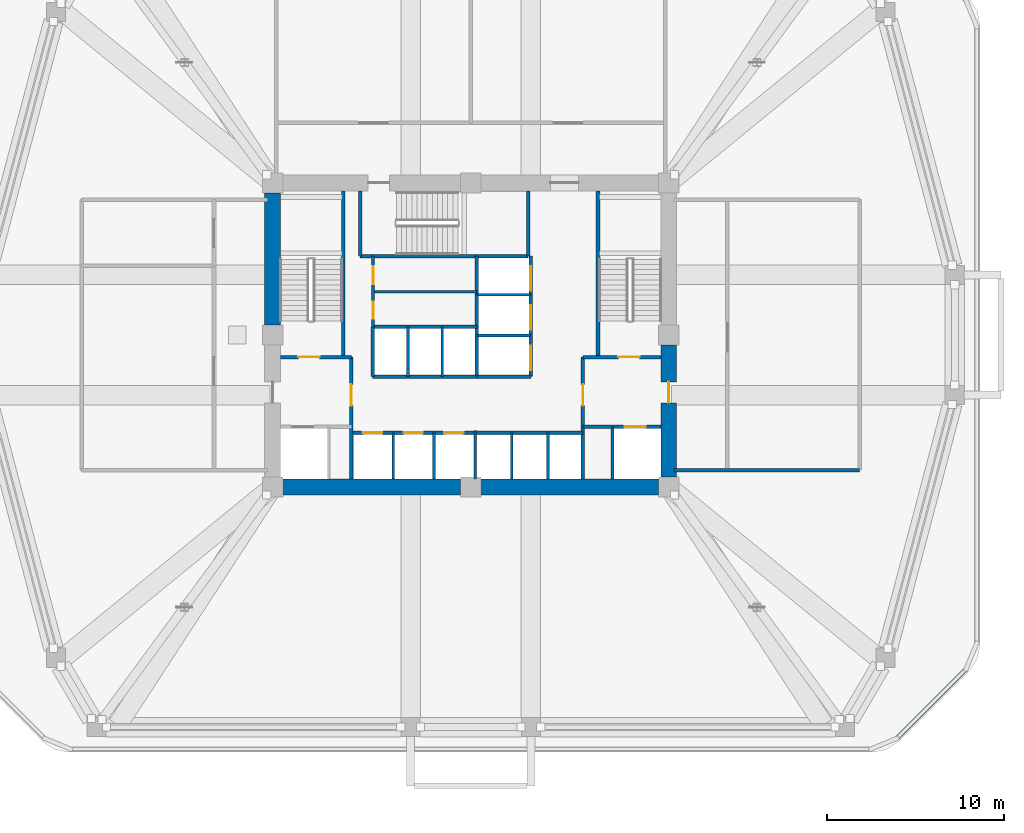
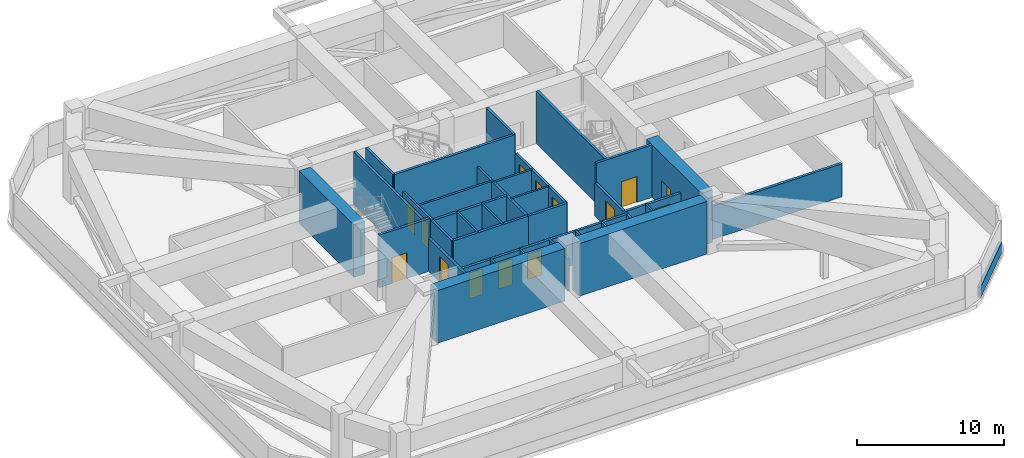
# One storey, part 5 of 10: 36 walls, 14 doors, 14 openings.
"""IFC4 building model written with IfcOpenShell, lengths in metres."""

from ifc_helpers import new_model, si_unit, derived_unit, direction, frame, frame_2d, origin, place, context, subcontext, project, spatial, rectangle, extrude, material, layer, layer_set, type_object, element, fill, save


model = new_model("IFC4")

# Units and contexts
model_context = context("Model", 3, precision=1e-05, world=origin(), true_north=direction((0.0, 1.0)))
body_context = subcontext(model_context, "Body", "Model", "MODEL_VIEW")
ifc_project = project(units=[si_unit("LENGTHUNIT", "METRE"), si_unit("AREAUNIT", "SQUARE_METRE"), si_unit("VOLUMEUNIT", "CUBIC_METRE"), si_unit("PLANEANGLEUNIT", "RADIAN"), si_unit("MASSUNIT", "GRAM", prefix="KILO"), derived_unit("THERMALTRANSMITTANCEUNIT", [(si_unit("POWERUNIT", "WATT"), 1), (si_unit("LENGTHUNIT", "METRE"), -2), (si_unit("THERMODYNAMICTEMPERATUREUNIT", "KELVIN"), -1)])], contexts=[model_context])

# Site, building, storey
site_placement = place(None, origin())
site = spatial("IfcSite", under=ifc_project, at=site_placement, CompositionType="ELEMENT")
building_placement = place(site_placement, origin())
building = spatial("IfcBuilding", under=site, at=building_placement, Name="Koralith Skygarden Medical Center", CompositionType="ELEMENT")
storey_placement = place(building_placement, frame((0.0, 0.0, 70.739990234375)))
storey = spatial("IfcBuildingStorey", under=building, at=storey_placement, Name="L18", CompositionType="ELEMENT", Elevation=70.739990234375)

# Wall, opening, door
ifc_material_1 = material(Name="Gypsum Board Partition")
ifc_layer_1 = layer(ifc_material_1, 0.199951171875)
ifc_layer_set_1 = layer_set([ifc_layer_1], Name="Gypsum Board Partition")
wall_type_1 = type_object("IfcWallType", Name="Fire Shaft Wall 200", PredefinedType="SOLIDWALL", material=ifc_layer_set_1)
wall_1_placement = place(storey_placement, frame((30.25, 17.75, 0.0), z_axis=(0.0, 0.0, 1.0), x_axis=(0.0, 1.0, 0.0)))
wall_1 = element("IfcWall", 1, at=wall_1_placement, inside=storey, type_object=wall_type_1, Name="L18 Fire Shaft Wall 200 W-CORE-L18-FSAEW-E", PredefinedType="SOLIDWALL", context=body_context, shape_type="SweptSolid", body=[
    extrude(rectangle(XDim=6.89990234375, YDim=0.199951171875, at=frame_2d((3.449951171875, 0.0))), origin(), (0.0, 0.0, 1.0), 2.75),
])
opening_1_placement = place(wall_1_placement, frame((4.14990234375, 0.0, 0.0)))
opening_1 = element("IfcOpeningElement", 2, at=opening_1_placement, cuts=wall_1, Name="Opening D-ST60", PredefinedType="OPENING", context=body_context, shape_type="SweptSolid", body=[
    extrude(rectangle(XDim=1.199951171875, YDim=2.14990234375, at=frame_2d((0.60009765625, 1.074951171875))), frame((0.0, 0.10986328125, 0.0), z_axis=(0.0, -1.0, 0.0), x_axis=(1.0, 0.0, 0.0)), (0.0, 0.0, 1.0), 0.219970703125),
])
ifc_material_2 = material(Name="Steel ASTM A500 Grade C", Category="steel")
door_type_1 = type_object("IfcDoorType", Name="Smokeproof Stair Fire Door FD60S 1200", OperationType="NOTDEFINED", PredefinedType="DOOR", material=ifc_material_2)
door_1_placement = place(opening_1_placement, origin())
door_1 = element("IfcDoor", 3, at=door_1_placement, inside=storey, type_object=door_type_1, Name="L18 West Firefighting Lobby Inner Fire Door", OperationType="SINGLE_SWING_LEFT", OverallHeight=2.14990234375, OverallWidth=1.199951171875, PredefinedType="DOOR", context=body_context, shape_type="SweptSolid", body=[
    extrude(rectangle(XDim=1.199951171875, YDim=2.14990234375, at=frame_2d((0.60009765625, 1.074951171875))), frame((0.0, 0.02490234375, 0.0), z_axis=(0.0, -1.0, 0.0), x_axis=(1.0, 0.0, 0.0)), (0.0, 0.0, 1.0), 0.050048828125),
])
fill(opening_1, door_1)

wall_2_placement = place(storey_placement, frame((43.35009765625, 20.699951171875, 0.0), z_axis=(0.0, 0.0, 1.0), x_axis=(1.0, 0.0, 0.0)))
wall_2 = element("IfcWall", 4, at=wall_2_placement, inside=storey, type_object=wall_type_1, Name="L18 Fire Shaft Wall 200 W-CORE-L18-FF2-N", PredefinedType="SOLIDWALL", context=body_context, shape_type="SweptSolid", body=[
    extrude(rectangle(XDim=4.39990234375, YDim=0.199951171875, at=frame_2d((2.199951171875, 0.0))), origin(), (0.0, 0.0, 1.0), 2.75),
])
opening_2_placement = place(wall_2_placement, frame((2.35009765625, 0.0, 0.0)))
opening_2 = element("IfcOpeningElement", 5, at=opening_2_placement, cuts=wall_2, Name="Opening LD-FF", PredefinedType="OPENING", context=body_context, shape_type="SweptSolid", body=[
    extrude(rectangle(XDim=1.199951171875, YDim=2.14990234375, at=frame_2d((0.60009765625, 1.074951171875))), frame((0.0, 0.10986328125, 0.0), z_axis=(0.0, -1.0, 0.0), x_axis=(1.0, 0.0, 0.0)), (0.0, 0.0, 1.0), 0.219970703125),
])
door_type_2 = type_object("IfcDoorType", Name="Fire Lift Sliding Landing Door LD-FF 1200", OperationType="NOTDEFINED", PredefinedType="DOOR", material=ifc_material_2)
door_2_placement = place(opening_2_placement, origin())
door_2 = element("IfcDoor", 6, at=door_2_placement, inside=storey, type_object=door_type_2, Name="L18 Fire Service Elevator FF2 Landing Door", OperationType="SLIDING_TO_RIGHT", OverallHeight=2.14990234375, OverallWidth=1.199951171875, PredefinedType="DOOR", context=body_context, shape_type="SweptSolid", body=[
    extrude(rectangle(XDim=1.199951171875, YDim=2.14990234375, at=frame_2d((0.60009765625, 1.074951171875))), frame((0.0, 0.02490234375, 0.0), z_axis=(0.0, -1.0, 0.0), x_axis=(1.0, 0.0, 0.0)), (0.0, 0.0, 1.0), 0.050048828125),
])
fill(opening_2, door_2)

wall_3_placement = place(storey_placement, frame((43.35009765625, 17.75, 0.0), z_axis=(0.0, 0.0, 1.0), x_axis=(0.0, 1.0, 0.0)))
wall_3 = element("IfcWall", 7, at=wall_3_placement, inside=storey, type_object=wall_type_1, Name="L18 Fire Shaft Wall 200 W-CORE-L18-FSAEE-W", PredefinedType="SOLIDWALL", context=body_context, shape_type="SweptSolid", body=[
    extrude(rectangle(XDim=6.89990234375, YDim=0.199951171875, at=frame_2d((3.449951171875, 0.0))), origin(), (0.0, 0.0, 1.0), 2.75),
])
opening_3_placement = place(wall_3_placement, frame((4.14990234375, 0.0, 0.0)))
opening_3 = element("IfcOpeningElement", 8, at=opening_3_placement, cuts=wall_3, Name="Opening D-ST60", PredefinedType="OPENING", context=body_context, shape_type="SweptSolid", body=[
    extrude(rectangle(XDim=1.199951171875, YDim=2.14990234375, at=frame_2d((0.60009765625, 1.074951171875))), frame((0.0, 0.10986328125, 0.0), z_axis=(0.0, -1.0, 0.0), x_axis=(1.0, 0.0, 0.0)), (0.0, 0.0, 1.0), 0.219970703125),
])
door_3_placement = place(opening_3_placement, frame((1.199951171875, 0.0, 0.0), z_axis=(0.0, 0.0, 1.0), x_axis=(-1.0, 0.0, 0.0)))
door_3 = element("IfcDoor", 9, at=door_3_placement, inside=storey, type_object=door_type_1, Name="L18 East Firefighting Lobby Inner Fire Door", OperationType="SINGLE_SWING_RIGHT", OverallHeight=2.14990234375, OverallWidth=1.199951171875, PredefinedType="DOOR", context=body_context, shape_type="SweptSolid", body=[
    extrude(rectangle(XDim=1.199951171875, YDim=2.14990234375, at=frame_2d((0.60009765625, 1.074951171875))), frame((0.0, 0.02490234375, 0.0), z_axis=(0.0, -1.0, 0.0), x_axis=(1.0, 0.0, 0.0)), (0.0, 0.0, 1.0), 0.050048828125),
])
fill(opening_3, door_3)

# Wall, openings, doors
wall_4_placement = place(storey_placement, frame((30.25, 20.360107421875, 0.0), z_axis=(0.0, 0.0, 1.0), x_axis=(1.0, 0.0, 0.0)))
wall_4 = element("IfcWall", 10, at=wall_4_placement, inside=storey, type_object=wall_type_1, Name="L18 Fire Shaft Wall 200 W-CORE-L18-PL-N", PredefinedType="SOLIDWALL", context=body_context, shape_type="SweptSolid", body=[
    extrude(rectangle(XDim=7.0, YDim=0.199951171875, at=frame_2d((3.5, 0.0))), origin(), (0.0, 0.0, 1.0), 2.75),
])
opening_4_placement = place(wall_4_placement, frame((0.64990234375, 0.0, 0.0)))
opening_4 = element("IfcOpeningElement", 11, at=opening_4_placement, cuts=wall_4, Name="Opening LD-P", PredefinedType="OPENING", context=body_context, shape_type="SweptSolid", body=[
    extrude(rectangle(XDim=1.10009765625, YDim=2.14990234375, at=frame_2d((0.550048828125, 1.074951171875))), frame((0.0, 0.10986328125, 0.0), z_axis=(0.0, -1.0, 0.0), x_axis=(1.0, 0.0, 0.0)), (0.0, 0.0, 1.0), 0.219970703125),
])
opening_5_placement = place(wall_4_placement, frame((2.949951171875, 0.0, 0.0)))
opening_5 = element("IfcOpeningElement", 12, at=opening_5_placement, cuts=wall_4, Name="Opening LD-P", PredefinedType="OPENING", context=body_context, shape_type="SweptSolid", body=[
    extrude(rectangle(XDim=1.10009765625, YDim=2.14990234375, at=frame_2d((0.550048828125, 1.074951171875))), frame((0.0, 0.10986328125, 0.0), z_axis=(0.0, -1.0, 0.0), x_axis=(1.0, 0.0, 0.0)), (0.0, 0.0, 1.0), 0.219970703125),
])
opening_6_placement = place(wall_4_placement, frame((5.25, 0.0, 0.0)))
opening_6 = element("IfcOpeningElement", 13, at=opening_6_placement, cuts=wall_4, Name="Opening LD-P", PredefinedType="OPENING", context=body_context, shape_type="SweptSolid", body=[
    extrude(rectangle(XDim=1.10009765625, YDim=2.14990234375, at=frame_2d((0.550048828125, 1.074951171875))), frame((0.0, 0.10986328125, 0.0), z_axis=(0.0, -1.0, 0.0), x_axis=(1.0, 0.0, 0.0)), (0.0, 0.0, 1.0), 0.219970703125),
])
door_type_3 = type_object("IfcDoorType", Name="Passenger Lift Sliding Landing Door LD-P 1100", OperationType="NOTDEFINED", PredefinedType="DOOR", material=ifc_material_2)
door_4_placement = place(opening_4_placement, origin())
door_4 = element("IfcDoor", 14, at=door_4_placement, inside=storey, type_object=door_type_3, Name="L18 Passenger Elevator PL1 Landing Door", OperationType="SLIDING_TO_LEFT", OverallHeight=2.14990234375, OverallWidth=1.10009765625, PredefinedType="DOOR", context=body_context, shape_type="SweptSolid", body=[
    extrude(rectangle(XDim=1.10009765625, YDim=2.14990234375, at=frame_2d((0.550048828125, 1.074951171875))), frame((0.0, 0.02490234375, 0.0), z_axis=(0.0, -1.0, 0.0), x_axis=(1.0, 0.0, 0.0)), (0.0, 0.0, 1.0), 0.050048828125),
])
fill(opening_4, door_4)
door_5_placement = place(opening_5_placement, origin())
door_5 = element("IfcDoor", 15, at=door_5_placement, inside=storey, type_object=door_type_3, Name="L18 Passenger Elevator PL2 Landing Door", OperationType="SLIDING_TO_LEFT", OverallHeight=2.14990234375, OverallWidth=1.10009765625, PredefinedType="DOOR", context=body_context, shape_type="SweptSolid", body=[
    extrude(rectangle(XDim=1.10009765625, YDim=2.14990234375, at=frame_2d((0.550048828125, 1.074951171875))), frame((0.0, 0.02490234375, 0.0), z_axis=(0.0, -1.0, 0.0), x_axis=(1.0, 0.0, 0.0)), (0.0, 0.0, 1.0), 0.050048828125),
])
fill(opening_5, door_5)
door_6_placement = place(opening_6_placement, origin())
door_6 = element("IfcDoor", 16, at=door_6_placement, inside=storey, type_object=door_type_3, Name="L18 Passenger Elevator PL3 Landing Door", OperationType="SLIDING_TO_LEFT", OverallHeight=2.14990234375, OverallWidth=1.10009765625, PredefinedType="DOOR", context=body_context, shape_type="SweptSolid", body=[
    extrude(rectangle(XDim=1.10009765625, YDim=2.14990234375, at=frame_2d((0.550048828125, 1.074951171875))), frame((0.0, 0.02490234375, 0.0), z_axis=(0.0, -1.0, 0.0), x_axis=(1.0, 0.0, 0.0)), (0.0, 0.0, 1.0), 0.050048828125),
])
fill(opening_6, door_6)

# Walls
wall_5_placement = place(storey_placement, frame((37.25, 20.360107421875, 0.0), z_axis=(0.0, 0.0, 1.0), x_axis=(1.0, 0.0, 0.0)))
element("IfcWall", 17, at=wall_5_placement, inside=storey, type_object=wall_type_1, Name="L18 Fire Shaft Wall 200 W-CORE-L18-PM-N", PredefinedType="SOLIDWALL", context=body_context, shape_type="SweptSolid", body=[
    extrude(rectangle(XDim=6.10009765625, YDim=0.199951171875, at=frame_2d((3.050048828125, 0.0))), origin(), (0.0, 0.0, 1.0), 2.75),
])
for number, where, z_axis, x_axis, name in (
    (18, (31.449951171875, 23.5400390625, 0.0), (0.0, 0.0, 1.0), (1.0, 0.0, 0.0), "L18 Fire Shaft Wall 200 W-CORE-L18-PH-S"),
    (19, (31.449951171875, 26.35009765625, 0.0), (0.0, 0.0, 1.0), (1.0, 0.0, 0.0), "L18 Fire Shaft Wall 200 W-CORE-L18-PH-N"),
):
    element("IfcWall", number, at=place(storey_placement, frame(where, z_axis=z_axis, x_axis=x_axis)), inside=storey, type_object=wall_type_1, Name=name, PredefinedType="SOLIDWALL", context=body_context, shape_type="SweptSolid", body=[
        extrude(rectangle(XDim=5.900146484375, YDim=0.199951171875, at=frame_2d((2.9501953125, 0.0))), origin(), (0.0, 0.0, 1.0), 2.75),
    ])
wall_6_placement = place(storey_placement, frame((31.449951171875, 23.5400390625, 0.0), z_axis=(0.0, 0.0, 1.0), x_axis=(0.0, 1.0, 0.0)))
element("IfcWall", 20, at=wall_6_placement, inside=storey, type_object=wall_type_1, Name="L18 Fire Shaft Wall 200 W-CORE-L18-PH-W", PredefinedType="SOLIDWALL", context=body_context, shape_type="SweptSolid", body=[
    extrude(rectangle(XDim=2.81005859375, YDim=0.199951171875, at=frame_2d((1.405029296875, 0.0))), origin(), (0.0, 0.0, 1.0), 2.75),
])
wall_7_placement = place(storey_placement, frame((37.35009765625, 23.5400390625, 0.0), z_axis=(0.0, 0.0, 1.0), x_axis=(0.0, 1.0, 0.0)))
element("IfcWall", 21, at=wall_7_placement, inside=storey, type_object=wall_type_1, Name="L18 Fire Shaft Wall 200 W-CORE-L18-SV-W", PredefinedType="SOLIDWALL", context=body_context, shape_type="SweptSolid", body=[
    extrude(rectangle(XDim=6.820068359375, YDim=0.199951171875, at=frame_2d((3.41015625, 0.0))), origin(), (0.0, 0.0, 1.0), 2.75),
])
wall_8_placement = place(storey_placement, frame((37.35009765625, 23.5400390625, 0.0), z_axis=(0.0, 0.0, 1.0), x_axis=(1.0, 0.0, 0.0)))
element("IfcWall", 22, at=wall_8_placement, inside=storey, type_object=wall_type_1, Name="L18 Fire Shaft Wall 200 W-CORE-L18-SV-S", PredefinedType="SOLIDWALL", context=body_context, shape_type="SweptSolid", body=[
    extrude(rectangle(XDim=3.0498046875, YDim=0.199951171875, at=frame_2d((1.52490234375, 0.0))), origin(), (0.0, 0.0, 1.0), 2.75),
])

# Wall, openings, doors
wall_9_placement = place(storey_placement, frame((40.39990234375, 23.5400390625, 0.0), z_axis=(0.0, 0.0, 1.0), x_axis=(0.0, 1.0, 0.0)))
wall_9 = element("IfcWall", 23, at=wall_9_placement, inside=storey, type_object=wall_type_1, Name="L18 Fire Shaft Wall 200 W-CORE-L18-SV-E", PredefinedType="SOLIDWALL", context=body_context, shape_type="SweptSolid", body=[
    extrude(rectangle(XDim=6.820068359375, YDim=0.199951171875, at=frame_2d((3.41015625, 0.0))), origin(), (0.0, 0.0, 1.0), 2.75),
])
opening_7_placement = place(wall_9_placement, frame((0.35009765625, 0.0, 0.0)))
opening_7 = element("IfcOpeningElement", 24, at=opening_7_placement, cuts=wall_9, Name="Opening LD-SV", PredefinedType="OPENING", context=body_context, shape_type="SweptSolid", body=[
    extrude(rectangle(XDim=1.39990234375, YDim=2.199951171875, at=frame_2d((0.699951171875, 1.10009765625))), frame((0.0, 0.10986328125, 0.0), z_axis=(0.0, -1.0, 0.0), x_axis=(1.0, 0.0, 0.0)), (0.0, 0.0, 1.0), 0.219970703125),
])
opening_8_placement = place(wall_9_placement, frame((2.64990234375, 0.0, 0.0)))
opening_8 = element("IfcOpeningElement", 25, at=opening_8_placement, cuts=wall_9, Name="Opening LD-SV", PredefinedType="OPENING", context=body_context, shape_type="SweptSolid", body=[
    extrude(rectangle(XDim=1.39990234375, YDim=2.199951171875, at=frame_2d((0.699951171875, 1.10009765625))), frame((0.0, 0.10986328125, 0.0), z_axis=(0.0, -1.0, 0.0), x_axis=(1.0, 0.0, 0.0)), (0.0, 0.0, 1.0), 0.219970703125),
])
opening_9_placement = place(wall_9_placement, frame((4.85009765625, 0.0, 0.0)))
opening_9 = element("IfcOpeningElement", 26, at=opening_9_placement, cuts=wall_9, Name="Opening LD-SV", PredefinedType="OPENING", context=body_context, shape_type="SweptSolid", body=[
    extrude(rectangle(XDim=1.39990234375, YDim=2.199951171875, at=frame_2d((0.699951171875, 1.10009765625))), frame((0.0, 0.10986328125, 0.0), z_axis=(0.0, -1.0, 0.0), x_axis=(1.0, 0.0, 0.0)), (0.0, 0.0, 1.0), 0.219970703125),
])
door_type_4 = type_object("IfcDoorType", Name="Bed Lift Sliding Landing Door LD-SV 1400", OperationType="NOTDEFINED", PredefinedType="DOOR", material=ifc_material_2)
door_7_placement = place(opening_7_placement, origin())
door_7 = element("IfcDoor", 27, at=door_7_placement, inside=storey, type_object=door_type_4, Name="L18 Bed Elevator BD1 Landing Door", OperationType="SLIDING_TO_LEFT", OverallHeight=2.199951171875, OverallWidth=1.39990234375, PredefinedType="DOOR", context=body_context, shape_type="SweptSolid", body=[
    extrude(rectangle(XDim=1.39990234375, YDim=2.199951171875, at=frame_2d((0.699951171875, 1.10009765625))), frame((0.0, 0.02490234375, 0.0), z_axis=(0.0, -1.0, 0.0), x_axis=(1.0, 0.0, 0.0)), (0.0, 0.0, 1.0), 0.050048828125),
])
fill(opening_7, door_7)
door_8_placement = place(opening_8_placement, origin())
door_8 = element("IfcDoor", 28, at=door_8_placement, inside=storey, type_object=door_type_4, Name="L18 Service Elevator BD2 Landing Door", OperationType="SLIDING_TO_LEFT", OverallHeight=2.199951171875, OverallWidth=1.39990234375, PredefinedType="DOOR", context=body_context, shape_type="SweptSolid", body=[
    extrude(rectangle(XDim=1.39990234375, YDim=2.199951171875, at=frame_2d((0.699951171875, 1.10009765625))), frame((0.0, 0.02490234375, 0.0), z_axis=(0.0, -1.0, 0.0), x_axis=(1.0, 0.0, 0.0)), (0.0, 0.0, 1.0), 0.050048828125),
])
fill(opening_8, door_8)
door_9_placement = place(opening_9_placement, origin())
door_9 = element("IfcDoor", 29, at=door_9_placement, inside=storey, type_object=door_type_4, Name="L18 Trauma Elevator TR1 Landing Door", OperationType="SLIDING_TO_RIGHT", OverallHeight=2.199951171875, OverallWidth=1.39990234375, PredefinedType="DOOR", context=body_context, shape_type="SweptSolid", body=[
    extrude(rectangle(XDim=1.39990234375, YDim=2.199951171875, at=frame_2d((0.699951171875, 1.10009765625))), frame((0.0, 0.02490234375, 0.0), z_axis=(0.0, -1.0, 0.0), x_axis=(1.0, 0.0, 0.0)), (0.0, 0.0, 1.0), 0.050048828125),
])
fill(opening_9, door_9)

# Walls
wall_10_placement = place(storey_placement, frame((48.5, 18.25, 0.0), z_axis=(0.0, 0.0, 1.0), x_axis=(1.0, 0.0, 0.0)))
element("IfcWall", 30, at=wall_10_placement, inside=storey, type_object=wall_type_1, Name="L18 Fire Shaft Wall 200 W-PL-L18-EC-S", PredefinedType="SOLIDWALL", context=body_context, shape_type="SweptSolid", body=[
    extrude(rectangle(XDim=10.5, YDim=0.199951171875, at=frame_2d((5.25, 0.0))), origin(), (0.0, 0.0, 1.0), 2.75),
])
ifc_material_3 = material(Name="Warm Oolitic Limestone Cladding", Category="masonry")
ifc_layer_2 = layer(ifc_material_3, 0.239990234375)
ifc_layer_set_2 = layer_set([ifc_layer_2], Name="Warm Oolitic Limestone Cladding")
wall_type_2 = type_object("IfcWallType", Name="Limestone Spandrel Sill Backup Wall 240", PredefinedType="SOLIDWALL", material=ifc_layer_set_2)
wall_11_placement = place(storey_placement, frame((61.095947265625, 3.0810546875, 0.0), z_axis=(0.0, 0.0, 1.0), x_axis=(0.707128783731, 0.707084777957, 0.0)))
element("IfcWall", 31, at=wall_11_placement, inside=storey, type_object=wall_type_2, Name="L18 Plant Sill Backup Wall SE", PredefinedType="SOLIDWALL", context=body_context, shape_type="SweptSolid", body=[
    extrude(rectangle(XDim=5.5478515625, YDim=0.239990234375, at=frame_2d((2.77392578125, 0.0))), origin(), (0.0, 0.0, 1.0), 0.89990234375),
])
ifc_material_4 = material(Name="Concrete C70/85", Category="concrete")
ifc_layer_3 = layer(ifc_material_4, 0.89990234375)
ifc_layer_set_3 = layer_set([ifc_layer_3], Name="Concrete C70/85")
wall_type_3 = type_object("IfcWallType", Name="Lower Core Shear Wall 900", PredefinedType="SHEAR", material=ifc_layer_set_3)
for number, where, z_axis, x_axis, name in (
    (32, (26.364990234375, 17.300048828125, 0.0), (0.0, 0.0, 1.0), (1.0, 0.0, 0.0), "L18 Core Shear Wall Segment 1"),
    (33, (37.56494140625, 17.300048828125, 0.0), (0.0, 0.0, 1.0), (1.0, 0.0, 0.0), "L18 Core Shear Wall Segment 2"),
):
    element("IfcWall", number, at=place(storey_placement, frame(where, z_axis=z_axis, x_axis=x_axis)), inside=storey, type_object=wall_type_3, Name=name, PredefinedType="SHEAR", context=body_context, shape_type="SweptSolid", body=[
        extrude(rectangle(XDim=10.070068359375, YDim=0.89990234375, at=frame_2d((5.03515625, 0.0))), origin(), (0.0, 0.0, 1.0), 4.380126953125),
    ])

# Wall, opening, door
wall_12_placement = place(storey_placement, frame((48.199951171875, 17.864990234375, 0.0), z_axis=(0.0, 0.0, 1.0), x_axis=(0.0, 1.0, 0.0)))
wall_12 = element("IfcWall", 34, at=wall_12_placement, inside=storey, type_object=wall_type_3, Name="L18 Core Shear Wall Segment 3", PredefinedType="SHEAR", context=body_context, shape_type="SweptSolid", body=[
    extrude(rectangle(XDim=7.469970703125, YDim=0.89990234375, at=frame_2d((3.73486328125, 0.0))), origin(), (0.0, 0.0, 1.0), 4.380126953125),
])
opening_10_placement = place(wall_12_placement, frame((4.18505859375, 0.0, 0.0)))
opening_10 = element("IfcOpeningElement", 35, at=opening_10_placement, cuts=wall_12, Name="Opening D-ST60", PredefinedType="OPENING", context=body_context, shape_type="SweptSolid", body=[
    extrude(rectangle(XDim=1.199951171875, YDim=2.14990234375, at=frame_2d((0.60009765625, 1.074951171875))), frame((0.0, 0.4599609375, 0.0), z_axis=(0.0, -1.0, 0.0), x_axis=(1.0, 0.0, 0.0)), (0.0, 0.0, 1.0), 0.919921875),
])
door_10_placement = place(opening_10_placement, frame((1.199951171875, 0.0, 0.0), z_axis=(0.0, 0.0, 1.0), x_axis=(-1.0, 0.0, 0.0)))
door_10 = element("IfcDoor", 36, at=door_10_placement, inside=storey, type_object=door_type_1, Name="L18 East Corridor to Firefighting Lobby Door", OperationType="SINGLE_SWING_RIGHT", OverallHeight=2.14990234375, OverallWidth=1.199951171875, PredefinedType="DOOR", context=body_context, shape_type="SweptSolid", body=[
    extrude(rectangle(XDim=1.199951171875, YDim=2.14990234375, at=frame_2d((0.60009765625, 1.074951171875))), frame((0.0, 0.02490234375, 0.0), z_axis=(0.0, -1.0, 0.0), x_axis=(1.0, 0.0, 0.0)), (0.0, 0.0, 1.0), 0.050048828125),
])
fill(opening_10, door_10)

# Wall
wall_13_placement = place(storey_placement, frame((25.800048828125, 33.93505859375, 0.0), z_axis=(0.0, 0.0, 1.0), x_axis=(0.0, -1.0, 0.0)))
element("IfcWall", 37, at=wall_13_placement, inside=storey, type_object=wall_type_3, Name="L18 Core Shear Wall Segment 7", PredefinedType="SHEAR", context=body_context, shape_type="SweptSolid", body=[
    extrude(rectangle(XDim=7.469970703125, YDim=0.89990234375, at=frame_2d((3.73486328125, 0.0))), origin(), (0.0, 0.0, 1.0), 4.380126953125),
])

# Wall, openings, doors
ifc_layer_4 = layer(ifc_material_1, 0.1650390625)
ifc_layer_set_4 = layer_set([ifc_layer_4], Name="Gypsum Board Partition")
wall_type_4 = type_object("IfcWallType", Name="Plumbing Wet Wall 165", PredefinedType="PLUMBINGWALL", material=ifc_layer_set_4)
wall_14_placement = place(storey_placement, frame((31.47998046875, 26.320068359375, 0.0), z_axis=(0.0, 0.0, 1.0), x_axis=(0.0, 1.0, 0.0)))
wall_14 = element("IfcWall", 38, at=wall_14_placement, inside=storey, type_object=wall_type_4, Name="L18 Plumbing Wet Wall 165 W-CORE-L18-FLEX-W", PredefinedType="PLUMBINGWALL", context=body_context, shape_type="SweptSolid", body=[
    extrude(rectangle(XDim=4.0400390625, YDim=0.1650390625, at=frame_2d((2.02001953125, 0.0))), origin(), (0.0, 0.0, 1.0), 2.75),
])
opening_11_placement = place(wall_14_placement, frame((0.5, 0.0, 0.0)))
opening_11 = element("IfcOpeningElement", 39, at=opening_11_placement, cuts=wall_14, Name="Opening D-WC", PredefinedType="OPENING", context=body_context, shape_type="SweptSolid", body=[
    extrude(rectangle(XDim=0.949951171875, YDim=2.10009765625, at=frame_2d((0.47509765625, 1.050048828125))), frame((0.0, 0.092529296875, 0.0), z_axis=(0.0, -1.0, 0.0), x_axis=(1.0, 0.0, 0.0)), (0.0, 0.0, 1.0), 0.18505859375),
])
opening_12_placement = place(wall_14_placement, frame((2.449951171875, 0.0, 0.0)))
opening_12 = element("IfcOpeningElement", 40, at=opening_12_placement, cuts=wall_14, Name="Opening D-SUP", PredefinedType="OPENING", context=body_context, shape_type="SweptSolid", body=[
    extrude(rectangle(XDim=1.0, YDim=2.14990234375, at=frame_2d((0.5, 1.074951171875))), frame((0.0, 0.092529296875, 0.0), z_axis=(0.0, -1.0, 0.0), x_axis=(1.0, 0.0, 0.0)), (0.0, 0.0, 1.0), 0.18505859375),
])
ifc_material_5 = material(Name="Aluminium 6063-T6", Category="aluminium")
door_type_5 = type_object("IfcDoorType", Name="Accessible Toilet Door D-WC 950", OperationType="NOTDEFINED", PredefinedType="DOOR", material=ifc_material_5)
door_11_placement = place(opening_11_placement, frame((0.949951171875, 0.0, 0.0), z_axis=(0.0, 0.0, 1.0), x_axis=(-1.0, 0.0, 0.0)))
door_11 = element("IfcDoor", 41, at=door_11_placement, inside=storey, type_object=door_type_5, Name="L18 Core Accessible WC Door", OperationType="SINGLE_SWING_LEFT", OverallHeight=2.10009765625, OverallWidth=0.949951171875, PredefinedType="DOOR", context=body_context, shape_type="SweptSolid", body=[
    extrude(rectangle(XDim=0.949951171875, YDim=2.10009765625, at=frame_2d((0.47509765625, 1.050048828125))), frame((0.0, 0.02490234375, 0.0), z_axis=(0.0, -1.0, 0.0), x_axis=(1.0, 0.0, 0.0)), (0.0, 0.0, 1.0), 0.050048828125),
])
fill(opening_11, door_11)
door_type_6 = type_object("IfcDoorType", Name="Clinical Support Door D-SUP 1000", OperationType="NOTDEFINED", PredefinedType="DOOR", material=ifc_material_5)
door_12_placement = place(opening_12_placement, frame((1.0, 0.0, 0.0), z_axis=(0.0, 0.0, 1.0), x_axis=(-1.0, 0.0, 0.0)))
door_12 = element("IfcDoor", 42, at=door_12_placement, inside=storey, type_object=door_type_6, Name="L18 Core Clean Utility Door", OperationType="SINGLE_SWING_RIGHT", OverallHeight=2.14990234375, OverallWidth=1.0, PredefinedType="DOOR", context=body_context, shape_type="SweptSolid", body=[
    extrude(rectangle(XDim=1.0, YDim=2.14990234375, at=frame_2d((0.5, 1.074951171875))), frame((0.0, 0.02490234375, 0.0), z_axis=(0.0, -1.0, 0.0), x_axis=(1.0, 0.0, 0.0)), (0.0, 0.0, 1.0), 0.050048828125),
])
fill(opening_12, door_12)

# Walls
wall_15_placement = place(storey_placement, frame((31.47998046875, 28.340087890625, 0.0), z_axis=(0.0, 0.0, 1.0), x_axis=(1.0, 0.0, 0.0)))
element("IfcWall", 43, at=wall_15_placement, inside=storey, type_object=wall_type_4, Name="L18 Plumbing Wet Wall 165 W-CORE-L18-FLEX-H0", PredefinedType="PLUMBINGWALL", context=body_context, shape_type="SweptSolid", body=[
    extrude(rectangle(XDim=5.8701171875, YDim=0.1650390625, at=frame_2d((2.93505859375, 0.0))), origin(), (0.0, 0.0, 1.0), 2.75),
])
ifc_layer_5 = layer(ifc_material_1, 0.14990234375)
ifc_layer_set_5 = layer_set([ifc_layer_5], Name="Gypsum Board Partition")
wall_type_5 = type_object("IfcWallType", Name="Shaft Partition Wall 150", PredefinedType="PARTITIONING", material=ifc_layer_set_5)
wall_16_placement = place(storey_placement, frame((45.02001953125, 17.75, 0.0), z_axis=(0.0, 0.0, 1.0), x_axis=(0.0, 1.0, 0.0)))
element("IfcWall", 44, at=wall_16_placement, inside=storey, type_object=wall_type_5, Name="L18 Shaft Partition Wall 150 W-CORE-L18-RSRE-DIV", PredefinedType="PARTITIONING", context=body_context, shape_type="SweptSolid", body=[
    extrude(rectangle(XDim=2.949951171875, YDim=0.14990234375, at=frame_2d((1.47509765625, 0.0))), origin(), (0.0, 0.0, 1.0), 2.75),
])
for number, where, z_axis, x_axis, name in (
    (45, (32.6201171875, 17.75, 0.0), (0.0, 0.0, 1.0), (0.0, 1.0, 0.0), "L18 Shaft Partition Wall 150 W-CORE-L18-PL-D1"),
    (46, (34.919921875, 17.75, 0.0), (0.0, 0.0, 1.0), (0.0, 1.0, 0.0), "L18 Shaft Partition Wall 150 W-CORE-L18-PL-D2"),
    (47, (39.320068359375, 17.75, 0.0), (0.0, 0.0, 1.0), (0.0, 1.0, 0.0), "L18 Shaft Partition Wall 150 W-CORE-L18-PM-D1"),
    (48, (41.3701171875, 17.75, 0.0), (0.0, 0.0, 1.0), (0.0, 1.0, 0.0), "L18 Shaft Partition Wall 150 W-CORE-L18-PM-D2"),
):
    element("IfcWall", number, at=place(storey_placement, frame(where, z_axis=z_axis, x_axis=x_axis)), inside=storey, type_object=wall_type_5, Name=name, PredefinedType="PARTITIONING", context=body_context, shape_type="SweptSolid", body=[
        extrude(rectangle(XDim=2.610107421875, YDim=0.14990234375, at=frame_2d((1.30517578125, 0.0))), origin(), (0.0, 0.0, 1.0), 2.75),
    ])
wall_17_placement = place(storey_placement, frame((37.25, 17.75, 0.0), z_axis=(0.0, 0.0, 1.0), x_axis=(0.0, 1.0, 0.0)))
element("IfcWall", 49, at=wall_17_placement, inside=storey, type_object=wall_type_5, Name="L18 Shaft Partition Wall 150 W-CORE-L18-PL-PM-SEP", PredefinedType="PARTITIONING", context=body_context, shape_type="SweptSolid", body=[
    extrude(rectangle(XDim=2.72998046875, YDim=0.14990234375, at=frame_2d((1.364990234375, 0.0))), origin(), (0.0, 0.0, 1.0), 2.75),
])
for number, where, z_axis, x_axis, name in (
    (50, (33.449951171875, 23.5400390625, 0.0), (0.0, 0.0, 1.0), (0.0, 1.0, 0.0), "L18 Shaft Partition Wall 150 W-CORE-L18-PH-D1"),
    (51, (35.39990234375, 23.5400390625, 0.0), (0.0, 0.0, 1.0), (0.0, 1.0, 0.0), "L18 Shaft Partition Wall 150 W-CORE-L18-PH-D2"),
):
    element("IfcWall", number, at=place(storey_placement, frame(where, z_axis=z_axis, x_axis=x_axis)), inside=storey, type_object=wall_type_5, Name=name, PredefinedType="PARTITIONING", context=body_context, shape_type="SweptSolid", body=[
        extrude(rectangle(XDim=2.81005859375, YDim=0.14990234375, at=frame_2d((1.405029296875, 0.0))), origin(), (0.0, 0.0, 1.0), 2.75),
    ])
for number, where, z_axis, x_axis, name in (
    (52, (37.3701171875, 25.8701171875, 0.0), (0.0, 0.0, 1.0), (1.0, 0.0, 0.0), "L18 Shaft Partition Wall 150 W-CORE-L18-SV-D1"),
    (53, (37.3701171875, 28.169921875, 0.0), (0.0, 0.0, 1.0), (1.0, 0.0, 0.0), "L18 Shaft Partition Wall 150 W-CORE-L18-SV-D2"),
):
    element("IfcWall", number, at=place(storey_placement, frame(where, z_axis=z_axis, x_axis=x_axis)), inside=storey, type_object=wall_type_5, Name=name, PredefinedType="PARTITIONING", context=body_context, shape_type="SweptSolid", body=[
        extrude(rectangle(XDim=3.009765625, YDim=0.14990234375, at=frame_2d((1.5048828125, 0.0))), origin(), (0.0, 0.0, 1.0), 2.75),
    ])
ifc_material_6 = material(Name="Concrete C45/55", Category="concrete")
ifc_layer_6 = layer(ifc_material_6, 0.199951171875)
ifc_layer_set_6 = layer_set([ifc_layer_6], Name="Concrete C45/55")
wall_type_6 = type_object("IfcWallType", Name="Structural Stair Shaft Wall 200", PredefinedType="SHEAR", material=ifc_layer_set_6)
wall_18_placement = place(storey_placement, frame((29.800048828125, 24.64990234375, 0.0), z_axis=(0.0, 0.0, 1.0), x_axis=(0.0, 1.0, 0.0)))
element("IfcWall", 54, at=wall_18_placement, inside=storey, type_object=wall_type_6, Name="L18 Structural Stair Shaft Wall 200 W-CORE-L18-ST1-E", PredefinedType="SHEAR", context=body_context, shape_type="SweptSolid", body=[
    extrude(rectangle(XDim=9.400146484375, YDim=0.199951171875, at=frame_2d((4.7001953125, 0.0))), origin(), (0.0, 0.0, 1.0), 4.380126953125),
])

# Wall, opening, door
wall_19_placement = place(storey_placement, frame((26.25, 24.64990234375, 0.0), z_axis=(0.0, 0.0, 1.0), x_axis=(1.0, 0.0, 0.0)))
wall_19 = element("IfcWall", 55, at=wall_19_placement, inside=storey, type_object=wall_type_6, Name="L18 Structural Stair Shaft Wall 200 W-CORE-L18-ST1-S", PredefinedType="SHEAR", context=body_context, shape_type="SweptSolid", body=[
    extrude(rectangle(XDim=4.0, YDim=0.199951171875, at=frame_2d((2.0, 0.0))), origin(), (0.0, 0.0, 1.0), 4.380126953125),
])
opening_13_placement = place(wall_19_placement, frame((1.0, 0.0, 0.0)))
opening_13 = element("IfcOpeningElement", 56, at=opening_13_placement, cuts=wall_19, Name="Opening D-ST60", PredefinedType="OPENING", context=body_context, shape_type="SweptSolid", body=[
    extrude(rectangle(XDim=1.199951171875, YDim=2.14990234375, at=frame_2d((0.60009765625, 1.074951171875))), frame((0.0, 0.10986328125, 0.0), z_axis=(0.0, -1.0, 0.0), x_axis=(1.0, 0.0, 0.0)), (0.0, 0.0, 1.0), 0.219970703125),
])
door_13_placement = place(opening_13_placement, origin())
door_13 = element("IfcDoor", 57, at=door_13_placement, inside=storey, type_object=door_type_1, Name="L18 Exit Stair ST1 Fire Door", OperationType="SINGLE_SWING_LEFT", OverallHeight=2.14990234375, OverallWidth=1.199951171875, PredefinedType="DOOR", context=body_context, shape_type="SweptSolid", body=[
    extrude(rectangle(XDim=1.199951171875, YDim=2.14990234375, at=frame_2d((0.60009765625, 1.074951171875))), frame((0.0, 0.02490234375, 0.0), z_axis=(0.0, -1.0, 0.0), x_axis=(1.0, 0.0, 0.0)), (0.0, 0.0, 1.0), 0.050048828125),
])
fill(opening_13, door_13)

# Wall
wall_20_placement = place(storey_placement, frame((44.199951171875, 24.64990234375, 0.0), z_axis=(0.0, 0.0, 1.0), x_axis=(0.0, 1.0, 0.0)))
element("IfcWall", 58, at=wall_20_placement, inside=storey, type_object=wall_type_6, Name="L18 Structural Stair Shaft Wall 200 W-CORE-L18-ST2-W", PredefinedType="SHEAR", context=body_context, shape_type="SweptSolid", body=[
    extrude(rectangle(XDim=9.400146484375, YDim=0.199951171875, at=frame_2d((4.7001953125, 0.0))), origin(), (0.0, 0.0, 1.0), 4.380126953125),
])

# Wall, opening, door
wall_21_placement = place(storey_placement, frame((43.35009765625, 24.64990234375, 0.0), z_axis=(0.0, 0.0, 1.0), x_axis=(1.0, 0.0, 0.0)))
wall_21 = element("IfcWall", 59, at=wall_21_placement, inside=storey, type_object=wall_type_6, Name="L18 Structural Stair Shaft Wall 200 W-CORE-L18-ST2-S", PredefinedType="SHEAR", context=body_context, shape_type="SweptSolid", body=[
    extrude(rectangle(XDim=4.39990234375, YDim=0.199951171875, at=frame_2d((2.199951171875, 0.0))), origin(), (0.0, 0.0, 1.0), 4.380126953125),
])
opening_14_placement = place(wall_21_placement, frame((2.0, 0.0, 0.0)))
opening_14 = element("IfcOpeningElement", 60, at=opening_14_placement, cuts=wall_21, Name="Opening D-ST60", PredefinedType="OPENING", context=body_context, shape_type="SweptSolid", body=[
    extrude(rectangle(XDim=1.199951171875, YDim=2.14990234375, at=frame_2d((0.60009765625, 1.074951171875))), frame((0.0, 0.10986328125, 0.0), z_axis=(0.0, -1.0, 0.0), x_axis=(1.0, 0.0, 0.0)), (0.0, 0.0, 1.0), 0.219970703125),
])
door_14_placement = place(opening_14_placement, origin())
door_14 = element("IfcDoor", 61, at=door_14_placement, inside=storey, type_object=door_type_1, Name="L18 Exit Stair ST2 Fire Door", OperationType="SINGLE_SWING_RIGHT", OverallHeight=2.14990234375, OverallWidth=1.199951171875, PredefinedType="DOOR", context=body_context, shape_type="SweptSolid", body=[
    extrude(rectangle(XDim=1.199951171875, YDim=2.14990234375, at=frame_2d((0.60009765625, 1.074951171875))), frame((0.0, 0.02490234375, 0.0), z_axis=(0.0, -1.0, 0.0), x_axis=(1.0, 0.0, 0.0)), (0.0, 0.0, 1.0), 0.050048828125),
])
fill(opening_14, door_14)

# Walls
wall_22_placement = place(storey_placement, frame((30.75, 30.360107421875, 0.0), z_axis=(0.0, 0.0, 1.0), x_axis=(1.0, 0.0, 0.0)))
element("IfcWall", 62, at=wall_22_placement, inside=storey, type_object=wall_type_6, Name="L18 Structural Stair Shaft Wall 200 W-CORE-L18-ST3-S", PredefinedType="SHEAR", context=body_context, shape_type="SweptSolid", body=[
    extrude(rectangle(XDim=9.5, YDim=0.199951171875, at=frame_2d((4.75, 0.0))), origin(), (0.0, 0.0, 1.0), 4.380126953125),
])
for number, where, z_axis, x_axis, name in (
    (63, (30.75, 30.360107421875, 0.0), (0.0, 0.0, 1.0), (0.0, 1.0, 0.0), "L18 Structural Stair Shaft Wall 200 W-CORE-L18-ST3-W"),
    (64, (40.25, 30.360107421875, 0.0), (0.0, 0.0, 1.0), (0.0, 1.0, 0.0), "L18 Structural Stair Shaft Wall 200 W-CORE-L18-ST3-E"),
):
    element("IfcWall", number, at=place(storey_placement, frame(where, z_axis=z_axis, x_axis=x_axis)), inside=storey, type_object=wall_type_6, Name=name, PredefinedType="SHEAR", context=body_context, shape_type="SweptSolid", body=[
        extrude(rectangle(XDim=3.68994140625, YDim=0.199951171875, at=frame_2d((1.844970703125, 0.0))), origin(), (0.0, 0.0, 1.0), 4.380126953125),
    ])

save(model, "model.ifc")
